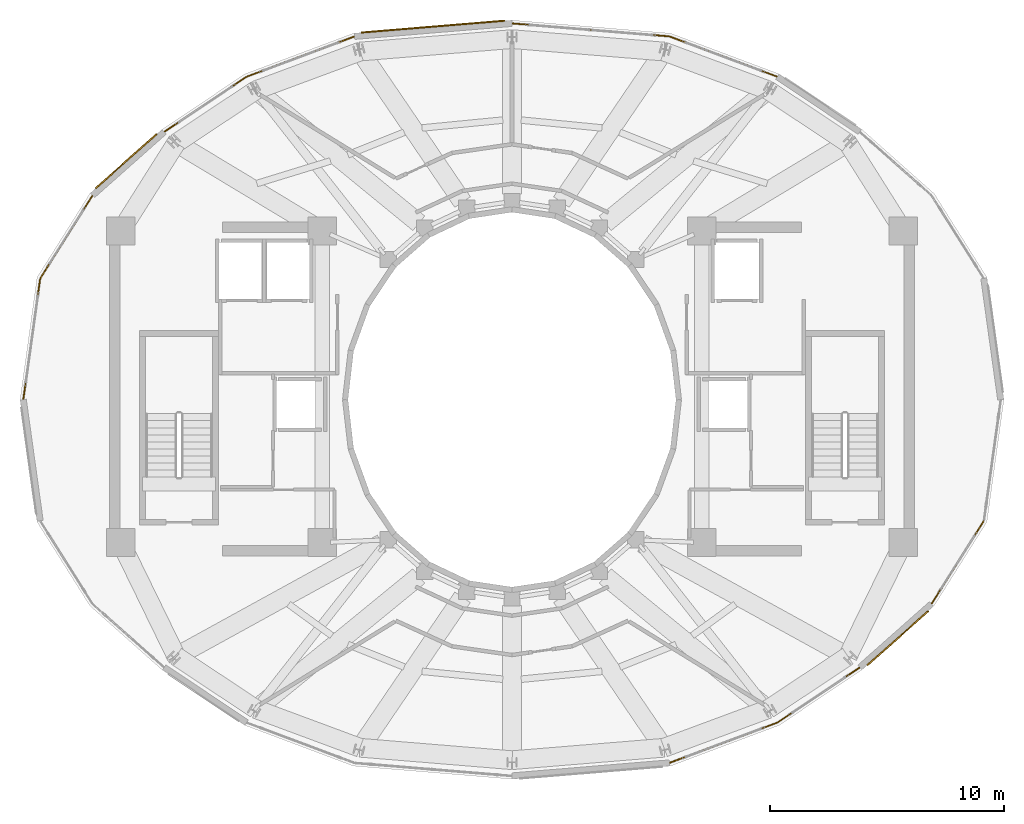
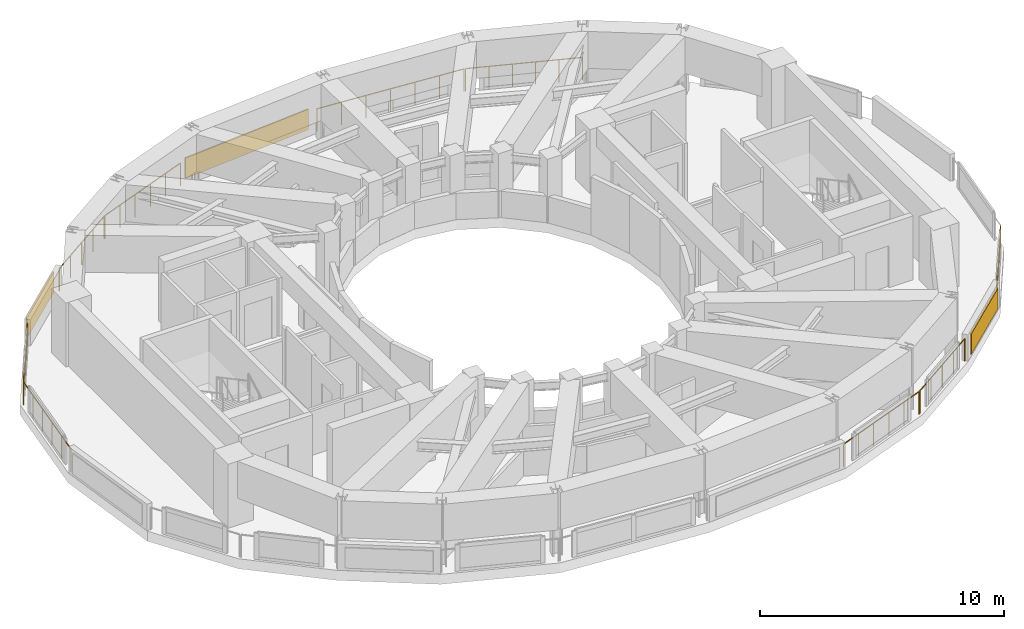
# One storey, part 20 of 21: 9 railings, 3 shading devices.
"""IFC4 building model written with IfcOpenShell, lengths in metres."""

from ifc_helpers import new_model, si_unit, direction, frame, origin, origin_2d, place, context, subcontext, project, spatial, rectangle, circle, extrude, material, layer, layer_set, type_object, element, save


model = new_model("IFC4")

# Units and contexts
model_context = context("Model", 3, precision=1e-05, world=origin(), true_north=direction((0.0, 1.0)))
body_context = subcontext(model_context, "Body", "Model", "MODEL_VIEW")
ifc_project = project(units=[si_unit("LENGTHUNIT", "METRE"), si_unit("AREAUNIT", "SQUARE_METRE"), si_unit("VOLUMEUNIT", "CUBIC_METRE"), si_unit("PLANEANGLEUNIT", "RADIAN"), si_unit("MASSUNIT", "GRAM", prefix="KILO")], contexts=[model_context])

# Site, building, storey
site_placement = place(None, origin())
site = spatial("IfcSite", under=ifc_project, at=site_placement, CompositionType="ELEMENT")
building_placement = place(site_placement, origin())
building = spatial("IfcBuilding", under=site, at=building_placement, Name="Solvane Sanctuary Tower", CompositionType="ELEMENT")
storey_placement = place(building_placement, frame((0.0, 0.0, 260.39990234375)))
storey = spatial("IfcBuildingStorey", under=building, at=storey_placement, Name="L79", CompositionType="ELEMENT", Elevation=260.39990234375)

# Railings
ifc_material_1 = material(Name="Architectural Stainless Steel 316", Category="steel")
railing_type = type_object("IfcRailingType", Name="Railing GR-BALC-1150", PredefinedType="BALUSTRADE", material=ifc_material_1)
railing_1_placement = place(storey_placement, frame((43.299072265625, 36.793701171875, 0.0)))
element("IfcRailing", 1, at=railing_1_placement, inside=storey, type_object=railing_type, Name="L79 Crown Curtain-Wall Sill Guard 04", PredefinedType="BALUSTRADE", context=body_context, shape_type="SweptSolid", body=[
    extrude(circle(Radius=0.02392578125, at=origin_2d()), frame((0.0, 0.0, 1.1259765625), z_axis=(-0.936696300219, 0.35014288677, 0.0), x_axis=(-0.35014288677, -0.936696300219, 0.0)), (0.0, 0.0, 1.0), 4.85791015625),
    extrude(circle(Radius=0.02099609375, at=origin_2d()), origin(), (0.0, 0.0, 1.0), 1.101806640625),
    extrude(circle(Radius=0.02099609375, at=origin_2d()), frame((-0.91015625, 0.340087890625, 0.0)), (0.0, 0.0, 1.0), 1.101806640625),
    extrude(circle(Radius=0.02099609375, at=origin_2d()), frame((-1.820068359375, 0.680419921875, 0.0)), (0.0, 0.0, 1.0), 1.101806640625),
    extrude(circle(Radius=0.02099609375, at=origin_2d()), frame((-2.730224609375, 1.0205078125, 0.0)), (0.0, 0.0, 1.0), 1.101806640625),
    extrude(circle(Radius=0.02099609375, at=origin_2d()), frame((-3.64013671875, 1.36083984375, 0.0)), (0.0, 0.0, 1.0), 1.101806640625),
    extrude(circle(Radius=0.02099609375, at=origin_2d()), frame((-4.55029296875, 1.700927734375, 0.0)), (0.0, 0.0, 1.0), 1.101806640625),
])
railing_2_placement = place(storey_placement, frame((38.69091796875, 38.507568359375, 0.0)))
element("IfcRailing", 2, at=railing_2_placement, inside=storey, type_object=railing_type, Name="L79 Crown Curtain-Wall Sill Guard 05", PredefinedType="BALUSTRADE", context=body_context, shape_type="SweptSolid", body=[
    extrude(circle(Radius=0.02392578125, at=origin_2d()), frame((0.0, 0.0, 1.1259765625), z_axis=(-0.996607950351, 0.082295767195, 0.0), x_axis=(-0.082295767195, -0.996607950351, 0.0)), (0.0, 0.0, 1.0), 6.683837890625),
    extrude(circle(Radius=0.02099609375, at=origin_2d()), origin(), (0.0, 0.0, 1.0), 1.101806640625),
    extrude(circle(Radius=0.02099609375, at=origin_2d()), frame((-1.110107421875, 0.091796875, 0.0)), (0.0, 0.0, 1.0), 1.101806640625),
    extrude(circle(Radius=0.02099609375, at=origin_2d()), frame((-2.220458984375, 0.183349609375, 0.0)), (0.0, 0.0, 1.0), 1.101806640625),
    extrude(circle(Radius=0.02099609375, at=origin_2d()), frame((-3.33056640625, 0.27490234375, 0.0)), (0.0, 0.0, 1.0), 1.101806640625),
    extrude(circle(Radius=0.02099609375, at=origin_2d()), frame((-4.440673828125, 0.36669921875, 0.0)), (0.0, 0.0, 1.0), 1.101806640625),
    extrude(circle(Radius=0.02099609375, at=origin_2d()), frame((-5.551025390625, 0.45849609375, 0.0)), (0.0, 0.0, 1.0), 1.101806640625),
    extrude(circle(Radius=0.02099609375, at=origin_2d()), frame((-6.6611328125, 0.550048828125, 0.0)), (0.0, 0.0, 1.0), 1.101806640625),
])
railing_3_placement = place(storey_placement, frame((25.251220703125, 38.49462890625, 0.0)))
element("IfcRailing", 3, at=railing_3_placement, inside=storey, type_object=railing_type, Name="L79 Crown Curtain-Wall Sill Guard 07", PredefinedType="BALUSTRADE", context=body_context, shape_type="SweptSolid", body=[
    extrude(circle(Radius=0.02392578125, at=origin_2d()), frame((0.0, 0.0, 1.1259765625), z_axis=(-0.936696300219, -0.35014288677, 0.0), x_axis=(0.35014288677, -0.936696300219, 0.0)), (0.0, 0.0, 1.0), 4.85791015625),
    extrude(circle(Radius=0.02099609375, at=origin_2d()), origin(), (0.0, 0.0, 1.0), 1.101806640625),
    extrude(circle(Radius=0.02099609375, at=origin_2d()), frame((-0.91015625, -0.340087890625, 0.0)), (0.0, 0.0, 1.0), 1.101806640625),
    extrude(circle(Radius=0.02099609375, at=origin_2d()), frame((-1.820068359375, -0.680419921875, 0.0)), (0.0, 0.0, 1.0), 1.101806640625),
    extrude(circle(Radius=0.02099609375, at=origin_2d()), frame((-2.730224609375, -1.0205078125, 0.0)), (0.0, 0.0, 1.0), 1.101806640625),
    extrude(circle(Radius=0.02099609375, at=origin_2d()), frame((-3.64013671875, -1.36083984375, 0.0)), (0.0, 0.0, 1.0), 1.101806640625),
    extrude(circle(Radius=0.02099609375, at=origin_2d()), frame((-4.55029296875, -1.700927734375, 0.0)), (0.0, 0.0, 1.0), 1.101806640625),
])
railing_4_placement = place(storey_placement, frame((20.64794921875, 36.766357421875, 0.0)))
element("IfcRailing", 4, at=railing_4_placement, inside=storey, type_object=railing_type, Name="L79 Crown Curtain-Wall Sill Guard 08", PredefinedType="BALUSTRADE", context=body_context, shape_type="SweptSolid", body=[
    extrude(circle(Radius=0.02392578125, at=origin_2d()), frame((0.0, 0.0, 1.1259765625), z_axis=(-0.831257416704, -0.555887674961, 0.0), x_axis=(0.555887674961, -0.831257416704, 0.0)), (0.0, 0.0, 1.0), 4.173095703125),
    extrude(circle(Radius=0.02099609375, at=origin_2d()), origin(), (0.0, 0.0, 1.0), 1.101806640625),
    extrude(circle(Radius=0.02099609375, at=origin_2d()), frame((-0.8671875, -0.580078125, 0.0)), (0.0, 0.0, 1.0), 1.101806640625),
    extrude(circle(Radius=0.02099609375, at=origin_2d()), frame((-1.734375, -1.159912109375, 0.0)), (0.0, 0.0, 1.0), 1.101806640625),
    extrude(circle(Radius=0.02099609375, at=origin_2d()), frame((-2.601806640625, -1.73974609375, 0.0)), (0.0, 0.0, 1.0), 1.101806640625),
    extrude(circle(Radius=0.02099609375, at=origin_2d()), frame((-3.468994140625, -2.31982421875, 0.0)), (0.0, 0.0, 1.0), 1.101806640625),
])
railing_5_placement = place(storey_placement, frame((14.081298828125, 31.6953125, 0.0)))
element("IfcRailing", 5, at=railing_5_placement, inside=storey, type_object=railing_type, Name="L79 Crown Curtain-Wall Sill Guard 10", PredefinedType="BALUSTRADE", context=body_context, shape_type="SweptSolid", body=[
    extrude(circle(Radius=0.02392578125, at=origin_2d()), frame((0.0, 0.0, 1.1259765625), z_axis=(-0.533446115447, -0.845834051049, 0.0), x_axis=(0.845834051049, -0.533446115447, 0.0)), (0.0, 0.0, 1.0), 4.1328125),
    extrude(circle(Radius=0.02099609375, at=origin_2d()), origin(), (0.0, 0.0, 1.0), 1.101806640625),
    extrude(circle(Radius=0.02099609375, at=origin_2d()), frame((-0.55126953125, -0.8740234375, 0.0)), (0.0, 0.0, 1.0), 1.101806640625),
    extrude(circle(Radius=0.02099609375, at=origin_2d()), frame((-1.102294921875, -1.747802734375, 0.0)), (0.0, 0.0, 1.0), 1.101806640625),
    extrude(circle(Radius=0.02099609375, at=origin_2d()), frame((-1.6533203125, -2.62158203125, 0.0)), (0.0, 0.0, 1.0), 1.101806640625),
    extrude(circle(Radius=0.02099609375, at=origin_2d()), frame((-2.20458984375, -3.49560546875, 0.0)), (0.0, 0.0, 1.0), 1.101806640625),
])
railing_6_placement = place(storey_placement, frame((11.856689453125, 28.14453125, 0.0)))
element("IfcRailing", 6, at=railing_6_placement, inside=storey, type_object=railing_type, Name="L79 Crown Curtain-Wall Sill Guard 11", PredefinedType="BALUSTRADE", context=body_context, shape_type="SweptSolid", body=[
    extrude(circle(Radius=0.02392578125, at=origin_2d()), frame((0.0, 0.0, 1.1259765625), z_axis=(-0.13799867377, -0.990432413665, 0.0), x_axis=(0.990432413665, -0.13799867377, 0.0)), (0.0, 0.0, 1.0), 5.1640625),
    extrude(circle(Radius=0.02099609375, at=origin_2d()), origin(), (0.0, 0.0, 1.0), 1.101806640625),
    extrude(circle(Radius=0.02099609375, at=origin_2d()), frame((-0.142578125, -1.02294921875, 0.0)), (0.0, 0.0, 1.0), 1.101806640625),
    extrude(circle(Radius=0.02099609375, at=origin_2d()), frame((-0.28515625, -2.0458984375, 0.0)), (0.0, 0.0, 1.0), 1.101806640625),
    extrude(circle(Radius=0.02099609375, at=origin_2d()), frame((-0.427490234375, -3.06884765625, 0.0)), (0.0, 0.0, 1.0), 1.101806640625),
    extrude(circle(Radius=0.02099609375, at=origin_2d()), frame((-0.570068359375, -4.091796875, 0.0)), (0.0, 0.0, 1.0), 1.101806640625),
    extrude(circle(Radius=0.02099609375, at=origin_2d()), frame((-0.712646484375, -5.11474609375, 0.0)), (0.0, 0.0, 1.0), 1.101806640625),
])
railing_7_placement = place(storey_placement, frame((38.748779296875, 7.50537109375, 0.0)))
element("IfcRailing", 7, at=railing_7_placement, inside=storey, type_object=railing_type, Name="L79 Crown Curtain-Wall Sill Guard 19", PredefinedType="BALUSTRADE", context=body_context, shape_type="SweptSolid", body=[
    extrude(circle(Radius=0.02392578125, at=origin_2d()), frame((0.0, 0.0, 1.1259765625), z_axis=(0.936696300219, 0.35014288677, 0.0), x_axis=(-0.35014288677, 0.936696300219, 0.0)), (0.0, 0.0, 1.0), 4.85791015625),
    extrude(circle(Radius=0.02099609375, at=origin_2d()), origin(), (0.0, 0.0, 1.0), 1.101806640625),
    extrude(circle(Radius=0.02099609375, at=origin_2d()), frame((0.91015625, 0.340087890625, 0.0)), (0.0, 0.0, 1.0), 1.101806640625),
    extrude(circle(Radius=0.02099609375, at=origin_2d()), frame((1.820068359375, 0.680419921875, 0.0)), (0.0, 0.0, 1.0), 1.101806640625),
    extrude(circle(Radius=0.02099609375, at=origin_2d()), frame((2.730224609375, 1.0205078125, 0.0)), (0.0, 0.0, 1.0), 1.101806640625),
    extrude(circle(Radius=0.02099609375, at=origin_2d()), frame((3.64013671875, 1.36083984375, 0.0)), (0.0, 0.0, 1.0), 1.101806640625),
    extrude(circle(Radius=0.02099609375, at=origin_2d()), frame((4.55029296875, 1.700927734375, 0.0)), (0.0, 0.0, 1.0), 1.101806640625),
])
railing_8_placement = place(storey_placement, frame((43.35205078125, 9.233642578125, 0.0)))
element("IfcRailing", 8, at=railing_8_placement, inside=storey, type_object=railing_type, Name="L79 Crown Curtain-Wall Sill Guard 20", PredefinedType="BALUSTRADE", context=body_context, shape_type="SweptSolid", body=[
    extrude(circle(Radius=0.02392578125, at=origin_2d()), frame((0.0, 0.0, 1.1259765625), z_axis=(0.831257416704, 0.555887674961, 0.0), x_axis=(-0.555887674961, 0.831257416704, 0.0)), (0.0, 0.0, 1.0), 4.173095703125),
    extrude(circle(Radius=0.02099609375, at=origin_2d()), origin(), (0.0, 0.0, 1.0), 1.101806640625),
    extrude(circle(Radius=0.02099609375, at=origin_2d()), frame((0.8671875, 0.580078125, 0.0)), (0.0, 0.0, 1.0), 1.101806640625),
    extrude(circle(Radius=0.02099609375, at=origin_2d()), frame((1.734375, 1.159912109375, 0.0)), (0.0, 0.0, 1.0), 1.101806640625),
    extrude(circle(Radius=0.02099609375, at=origin_2d()), frame((2.601806640625, 1.73974609375, 0.0)), (0.0, 0.0, 1.0), 1.101806640625),
    extrude(circle(Radius=0.02099609375, at=origin_2d()), frame((3.468994140625, 2.31982421875, 0.0)), (0.0, 0.0, 1.0), 1.101806640625),
])
railing_9_placement = place(storey_placement, frame((49.918701171875, 14.3046875, 0.0)))
element("IfcRailing", 9, at=railing_9_placement, inside=storey, type_object=railing_type, Name="L79 Crown Curtain-Wall Sill Guard 22", PredefinedType="BALUSTRADE", context=body_context, shape_type="SweptSolid", body=[
    extrude(circle(Radius=0.02392578125, at=origin_2d()), frame((0.0, 0.0, 1.1259765625), z_axis=(0.533446115447, 0.845834051049, 0.0), x_axis=(-0.845834051049, 0.533446115447, 0.0)), (0.0, 0.0, 1.0), 4.1328125),
    extrude(circle(Radius=0.02099609375, at=origin_2d()), origin(), (0.0, 0.0, 1.0), 1.101806640625),
    extrude(circle(Radius=0.02099609375, at=origin_2d()), frame((0.55126953125, 0.8740234375, 0.0)), (0.0, 0.0, 1.0), 1.101806640625),
    extrude(circle(Radius=0.02099609375, at=origin_2d()), frame((1.102294921875, 1.747802734375, 0.0)), (0.0, 0.0, 1.0), 1.101806640625),
    extrude(circle(Radius=0.02099609375, at=origin_2d()), frame((1.6533203125, 2.62158203125, 0.0)), (0.0, 0.0, 1.0), 1.101806640625),
    extrude(circle(Radius=0.02099609375, at=origin_2d()), frame((2.20458984375, 3.49560546875, 0.0)), (0.0, 0.0, 1.0), 1.101806640625),
])

# Shading devices
ifc_material_2 = material(Name="Anodised Aluminium 6063-T6", Category="aluminium")
ifc_layer = layer(ifc_material_2, 0.06005859375, Name="Anodised Aluminium 6063-T6")
ifc_layer_set = layer_set([ifc_layer], Name="Anodised Aluminium 6063-T6")
shading_device_type = type_object("IfcShadingDeviceType", Name="Shading SHD-LOUVRE", PredefinedType="JALOUSIE", material=ifc_layer_set)
shading_device_placement = place(storey_placement, frame((28.628173828125, 38.922119140625, 0.150146484375), z_axis=(0.0, 0.0, 1.0), x_axis=(-0.99660886778, -0.082284656297, 0.0)))
element("IfcShadingDevice", 10, at=shading_device_placement, inside=storey, type_object=shading_device_type, Name="L79 Crown Storm Louvre Panel 06", PredefinedType="JALOUSIE", context=body_context, shape_type="SweptSolid", body=[
    extrude(rectangle(XDim=6.143798828125, YDim=0.06005859375, at=origin_2d()), origin(), (0.0, 0.0, 1.0), 1.02001953125),
])
for number, where, z_axis, x_axis, name in (
    (11, (15.53271484375, 33.18017578125, 0.150146484375), (0.0, 0.0, 1.0), (-0.74835403754, -0.663299505878, 0.0), "L79 Crown Storm Louvre Panel 09"),
    (12, (48.46728515625, 12.81982421875, 0.150146484375), (0.0, 0.0, 1.0), (0.74835403754, 0.663299505878, 0.0), "L79 Crown Storm Louvre Panel 21"),
):
    element("IfcShadingDevice", number, at=place(storey_placement, frame(where, z_axis=z_axis, x_axis=x_axis)), inside=storey, type_object=shading_device_type, Name=name, PredefinedType="JALOUSIE", context=body_context, shape_type="SweptSolid", body=[
        extrude(rectangle(XDim=3.484375, YDim=0.06005859375, at=origin_2d()), origin(), (0.0, 0.0, 1.0), 1.02001953125),
    ])

save(model, "model.ifc")
